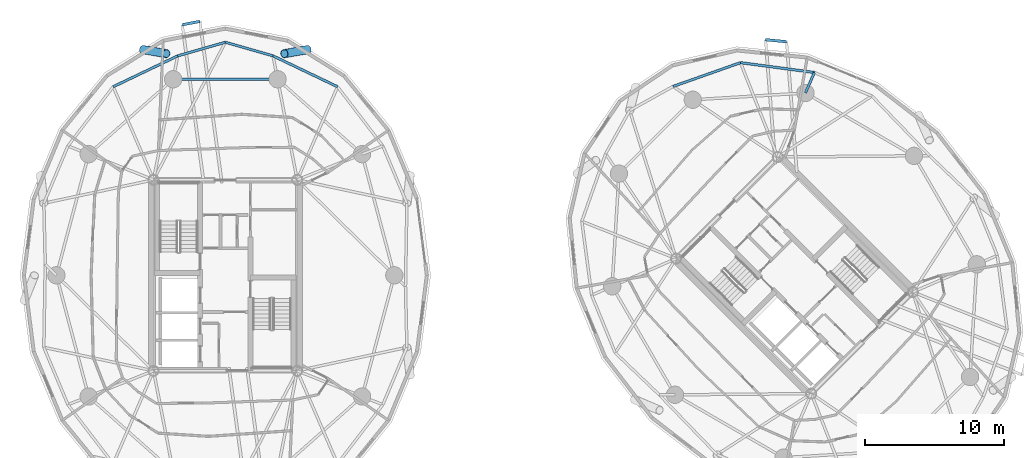
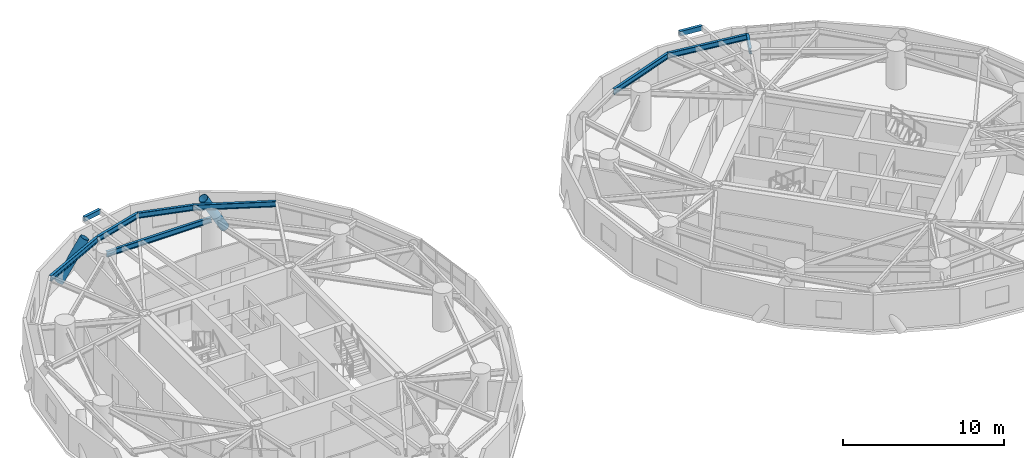
# One storey, part 6 of 17: 10 beams, 2 members.
"""IFC4 building model written with IfcOpenShell, lengths in metres."""

from ifc_helpers import new_model, si_unit, direction, frame, origin, origin_2d, place, context, subcontext, project, spatial, hollow_rectangle, hollow_circle, i_section, extrude, material, material_profile, profile_set, type_object, element, save


model = new_model("IFC4")

# Units and contexts
model_context = context("Model", 3, precision=1e-05, world=origin(), true_north=direction((0.0, 1.0)))
body_context = subcontext(model_context, "Body", "Model", "MODEL_VIEW")
ifc_project = project(units=[si_unit("LENGTHUNIT", "METRE"), si_unit("AREAUNIT", "SQUARE_METRE"), si_unit("VOLUMEUNIT", "CUBIC_METRE"), si_unit("PLANEANGLEUNIT", "RADIAN"), si_unit("MASSUNIT", "GRAM", prefix="KILO")], contexts=[model_context])

# Site, building, storey
site_placement = place(None, origin())
site = spatial("IfcSite", under=ifc_project, at=site_placement, CompositionType="ELEMENT")
building_placement = place(site_placement, origin())
building = spatial("IfcBuilding", under=site, at=building_placement, Name="Cununo Teusaquillo Station Towers", CompositionType="ELEMENT")
storey_placement = place(building_placement, frame((0.0, 0.0, 166.14990234375)))
storey = spatial("IfcBuildingStorey", under=building, at=storey_placement, Name="L52", CompositionType="ELEMENT", Elevation=166.14990234375)

# Beams
ifc_material_1 = material(Name="Steel ASTM A572 Grade 50", Category="steel")
ifc_material_profile_1 = material_profile(ifc_material_1, i_section(OverallWidth=0.180908203125, OverallDepth=0.4169921875, WebThickness=0.010986328125, FlangeThickness=0.018310546875, FilletRadius=0.012939453125, at=origin_2d()), Name="W16X57")
ifc_profile_set_1 = profile_set([ifc_material_profile_1], Name="Steel ASTM A572 Grade 50")
beam_type_1 = type_object("IfcBeamType", Name="BM-RAD-G2", PredefinedType="BEAM", material=ifc_profile_set_1)
beam_1_placement = place(storey_placement, frame((58.291015625, 37.63525390625, 2.481689453125), z_axis=(0.397381487564, 0.917653503966, 0.0), x_axis=(-0.917653503966, 0.397381487564, 0.0)))
element("IfcBeam", 1, at=beam_1_placement, inside=storey, type_object=beam_type_1, Name="L52 Tower B Perimeter Overhang Girder 02B", PredefinedType="BEAM", context=body_context, shape_type="SweptSolid", body=[
    extrude(i_section(OverallWidth=0.180908203125, OverallDepth=0.4169921875, WebThickness=0.010986328125, FlangeThickness=0.018310546875, FilletRadius=0.012939453125, at=origin_2d()), origin(), (0.0, 0.0, 1.0), 1.607177734375),
])
ifc_material_2 = material(Name="Steel ASTM A572 Grade 50", Category="steel")
ifc_material_profile_2 = material_profile(ifc_material_2, i_section(OverallWidth=0.180908203125, OverallDepth=0.4169921875, WebThickness=0.010986328125, FlangeThickness=0.018310546875, FilletRadius=0.012939453125, at=origin_2d()), Name="W16X57")
ifc_profile_set_2 = profile_set([ifc_material_profile_2], Name="Steel ASTM A572 Grade 50")
beam_type_2 = type_object("IfcBeamType", Name="BM-RING-Z3", PredefinedType="SPANDREL", material=ifc_profile_set_2)
beam_2_placement = place(storey_placement, frame((20.261474609375, 38.623291015625, 2.481689453125), z_axis=(-1.0, 0.0, 0.0), x_axis=(0.0, -1.0, 0.0)))
element("IfcBeam", 2, at=beam_2_placement, inside=storey, type_object=beam_type_2, Name="L52 Tower A Structural Column Ring Girder 03", PredefinedType="SPANDREL", context=body_context, shape_type="SweptSolid", body=[
    extrude(i_section(OverallWidth=0.180908203125, OverallDepth=0.4169921875, WebThickness=0.010986328125, FlangeThickness=0.018310546875, FilletRadius=0.012939453125, at=origin_2d()), origin(), (0.0, 0.0, 1.0), 7.52294921875),
])
beam_3_placement = place(storey_placement, frame((24.58251953125, 38.08349609375, 2.481689453125), z_axis=(-0.902031610991, 0.431669981319, 0.0), x_axis=(-0.431669981319, -0.902031610991, 0.0)))
element("IfcBeam", 3, at=beam_3_placement, inside=storey, type_object=beam_type_2, Name="L52 Tower A Spandrel Ring Beam 04", PredefinedType="SPANDREL", context=body_context, shape_type="SweptSolid", body=[
    extrude(i_section(OverallWidth=0.180908203125, OverallDepth=0.4169921875, WebThickness=0.010986328125, FlangeThickness=0.018310546875, FilletRadius=0.012939453125, at=origin_2d()), origin(), (0.0, 0.0, 1.0), 5.1552734375),
])
for number, where, z_axis, x_axis, name in (
    (4, (19.932373046875, 40.308837890625, 2.481689453125), (-0.961485227168, 0.274856613414, 0.0), (-0.274856613414, -0.961485227168, 0.0), "L52 Tower A Spandrel Ring Beam 05"),
    (5, (16.5, 41.2900390625, 2.481689453125), (-0.961485227168, -0.274856613414, 0.0), (0.274856613414, -0.961485227168, 0.0), "L52 Tower A Spandrel Ring Beam 06"),
):
    element("IfcBeam", number, at=place(storey_placement, frame(where, z_axis=z_axis, x_axis=x_axis)), inside=storey, type_object=beam_type_2, Name=name, PredefinedType="SPANDREL", context=body_context, shape_type="SweptSolid", body=[
        extrude(i_section(OverallWidth=0.180908203125, OverallDepth=0.4169921875, WebThickness=0.010986328125, FlangeThickness=0.018310546875, FilletRadius=0.012939453125, at=origin_2d()), origin(), (0.0, 0.0, 1.0), 3.56982421875),
    ])
beam_4_placement = place(storey_placement, frame((13.067626953125, 40.308837890625, 2.481689453125), z_axis=(-0.902031610991, -0.431669981319, 0.0), x_axis=(0.431669981319, -0.902031610991, 0.0)))
element("IfcBeam", 6, at=beam_4_placement, inside=storey, type_object=beam_type_2, Name="L52 Tower A Spandrel Ring Beam 07", PredefinedType="SPANDREL", context=body_context, shape_type="SweptSolid", body=[
    extrude(i_section(OverallWidth=0.180908203125, OverallDepth=0.4169921875, WebThickness=0.010986328125, FlangeThickness=0.018310546875, FilletRadius=0.012939453125, at=origin_2d()), origin(), (0.0, 0.0, 1.0), 5.1552734375),
])
beam_5_placement = place(storey_placement, frame((58.9296875, 39.110107421875, 2.481689453125), z_axis=(-0.991204443213, 0.132339532096, 0.0), x_axis=(-0.132339532096, -0.991204443213, 0.0)))
element("IfcBeam", 7, at=beam_5_placement, inside=storey, type_object=beam_type_2, Name="L52 Tower B Spandrel Ring Beam 03", PredefinedType="SPANDREL", context=body_context, shape_type="SweptSolid", body=[
    extrude(i_section(OverallWidth=0.180908203125, OverallDepth=0.4169921875, WebThickness=0.010986328125, FlangeThickness=0.018310546875, FilletRadius=0.012939453125, at=origin_2d()), origin(), (0.0, 0.0, 1.0), 5.366455078125),
])
beam_6_placement = place(storey_placement, frame((53.6103515625, 39.8203125, 2.481689453125), z_axis=(-0.943071614141, -0.332589733158, 0.0), x_axis=(0.332589733158, -0.943071614141, 0.0)))
element("IfcBeam", 8, at=beam_6_placement, inside=storey, type_object=beam_type_2, Name="L52 Tower B Spandrel Ring Beam 04", PredefinedType="SPANDREL", context=body_context, shape_type="SweptSolid", body=[
    extrude(i_section(OverallWidth=0.180908203125, OverallDepth=0.4169921875, WebThickness=0.010986328125, FlangeThickness=0.018310546875, FilletRadius=0.012939453125, at=origin_2d()), origin(), (0.0, 0.0, 1.0), 5.1552734375),
])
ifc_material_3 = material(Name="Steel EN 10025-2 S355J2", Category="steel")
ifc_material_profile_3 = material_profile(ifc_material_3, hollow_rectangle(XDim=0.199951171875, YDim=0.35009765625, WallThickness=0.013916015625, at=origin_2d()), Name="RHS 350x200x14")
ifc_profile_set_3 = profile_set([ifc_material_profile_3], Name="Steel EN 10025-2 S355J2")
beam_type_3 = type_object("IfcBeamType", Name="BM-STAIR-TRIM", PredefinedType="BEAM", material=ifc_profile_set_3)
beam_7_placement = place(storey_placement, frame((14.666015625, 42.795166015625, 2.525146484375), z_axis=(-0.981844538169, -0.189687381942, 0.0), x_axis=(0.189687381942, -0.981844538169, 0.0)))
element("IfcBeam", 9, at=beam_7_placement, inside=storey, type_object=beam_type_3, Name="L52 Tower A Balcony Edge Trimmer Beam 1", PredefinedType="BEAM", context=body_context, shape_type="SweptSolid", body=[
    extrude(hollow_rectangle(XDim=0.199951171875, YDim=0.35009765625, WallThickness=0.013916015625, at=origin_2d()), origin(), (0.0, 0.0, 1.0), 1.29345703125),
])
beam_8_placement = place(storey_placement, frame((56.93017578125, 41.324951171875, 2.525146484375), z_axis=(-0.995128963783, 0.098581668887, 0.0), x_axis=(-0.098581668887, -0.995128963783, 0.0)))
element("IfcBeam", 10, at=beam_8_placement, inside=storey, type_object=beam_type_3, Name="L52 Tower B Balcony Edge Trimmer Beam 1", PredefinedType="BEAM", context=body_context, shape_type="SweptSolid", body=[
    extrude(hollow_rectangle(XDim=0.199951171875, YDim=0.35009765625, WallThickness=0.013916015625, at=origin_2d()), origin(), (0.0, 0.0, 1.0), 1.5205078125),
])

# Members
ifc_material_4 = material(Name="Steel EN 10025-2 S355J2", Category="steel")
ifc_material_profile_4 = material_profile(ifc_material_4, hollow_circle(Radius=0.304931640625, WallThickness=0.02001953125, at=origin_2d()), Name="CHS 610x20")
ifc_profile_set_4 = profile_set([ifc_material_profile_4], Name="Steel EN 10025-2 S355J2")
member_type = type_object("IfcMemberType", Name="MBR-DIAG-Z3", PredefinedType="BRACE", material=ifc_profile_set_4)
for number, where, z_axis, x_axis, name in (
    (11, (22.422607421875, 40.7578125, -0.139892578125), (-0.496658226104, -0.085940568451, 0.863680974167), (0.170503853676, -0.985357009353, 0.0), "L52 Tower A Folded-Zigzag Diagrid Tube C03"),
    (12, (10.577392578125, 40.7578125, -0.139892578125), (0.496658226104, -0.085940568451, 0.863680974167), (0.170503853676, 0.985357009353, 0.0), "L52 Tower A Folded-Zigzag Diagrid Tube C06"),
):
    element("IfcMember", number, at=place(storey_placement, frame(where, z_axis=z_axis, x_axis=x_axis)), inside=storey, type_object=member_type, Name=name, PredefinedType="BRACE", context=body_context, shape_type="SweptSolid", body=[
        extrude(hollow_circle(Radius=0.304931640625, WallThickness=0.02001953125, at=origin_2d()), origin(), (0.0, 0.0, 1.0), 3.369140625),
    ])

save(model, "model.ifc")
